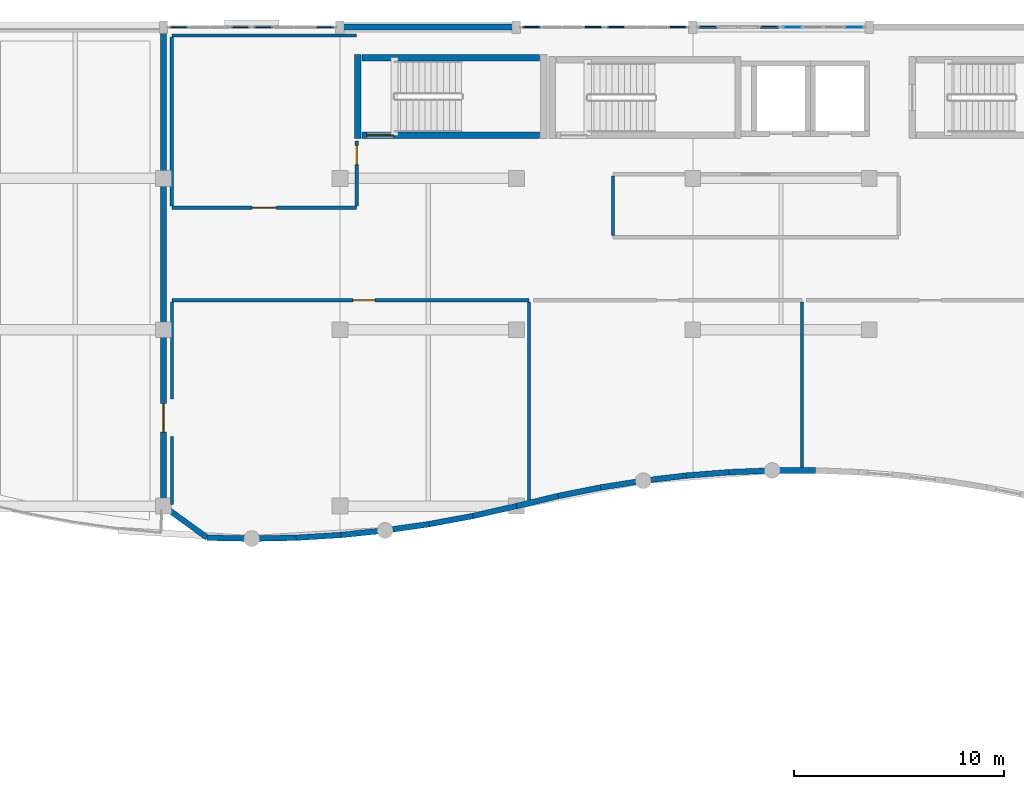
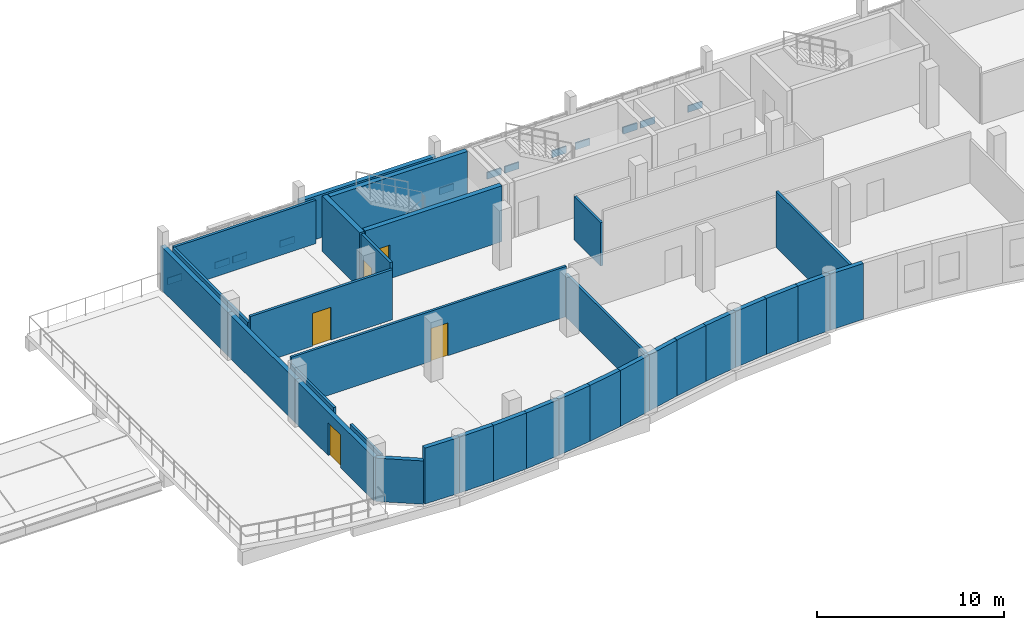
# One storey, part 172 of 188: 32 walls, 12 plates, 5 doors, 5 openings, 6 elements without a shape of their own.
"""IFC4 building model written with IfcOpenShell, lengths in metres."""

from ifc_helpers import new_model, si_unit, direction, frame, frame_2d, origin, origin_2d, place, context, subcontext, project, spatial, rectangle, extrude, material, layer, layer_set, type_object, element, fill, aggregate, save


model = new_model("IFC4")

# Units and contexts
model_context = context("Model", 3, precision=1e-05, world=origin(), true_north=direction((0.0, 1.0)))
body_context = subcontext(model_context, "Body", "Model", "MODEL_VIEW")
ifc_project = project(units=[si_unit("LENGTHUNIT", "METRE"), si_unit("AREAUNIT", "SQUARE_METRE"), si_unit("VOLUMEUNIT", "CUBIC_METRE"), si_unit("PLANEANGLEUNIT", "RADIAN"), si_unit("MASSUNIT", "GRAM", prefix="KILO")], contexts=[model_context])

# Site, building, storey
site_placement = place(None, origin())
site = spatial("IfcSite", under=ifc_project, at=site_placement, CompositionType="ELEMENT")
building_placement = place(site_placement, origin())
building = spatial("IfcBuilding", under=site, at=building_placement, Name="Kisaragi Civic Commons", CompositionType="ELEMENT")
storey_placement = place(building_placement, frame((0.0, 0.0, 9.60009765625)))
storey = spatial("IfcBuildingStorey", under=building, at=storey_placement, Name="L02", CompositionType="ELEMENT", Elevation=9.60009765625)

# Curtain wall, plates
ifc_material_1 = material(Name="Thermally broken anodized aluminium and low-E double glazing", Category="aluminium")
ifc_layer_1 = layer(ifc_material_1, 0.179931640625, Name="Thermally broken anodized aluminium and low-E double glazing", Category="aluminium")
ifc_layer_set_1 = layer_set([ifc_layer_1], Name="Thermally broken anodized aluminium and low-E double glazing")
curtain_wall_type = type_object("IfcCurtainWallType", Name="CW-01", PredefinedType="NOTDEFINED", material=ifc_layer_set_1)
curtain_wall_1_placement = place(storey_placement, origin())
curtain_wall_1 = element("IfcCurtainWall", 1, at=curtain_wall_1_placement, inside=storey, type_object=curtain_wall_type, Name="L02 curtain wall CW-01 CW-V4-L02-079", PredefinedType="NOTDEFINED")
ifc_layer_2 = layer(ifc_material_1, 0.055908203125, Name="Thermally broken anodized aluminium and low-E double glazing", Category="aluminium")
ifc_layer_set_2 = layer_set([ifc_layer_2], Name="Thermally broken anodized aluminium and low-E double glazing")
plate_type_1 = type_object("IfcPlateType", Name="CWP-06", PredefinedType="CURTAIN_PANEL", material=ifc_layer_set_2)
plate_1_placement = place(storey_placement, frame((81.124267578125, 118.800048828125, 0.139892578125), z_axis=(0.0, 0.0, 1.0), x_axis=(1.0, 0.0, 0.0)))
plate_1 = element("IfcPlate", 2, at=plate_1_placement, type_object=plate_type_1, Name="CW-01 panel 1.1", PredefinedType="CURTAIN_PANEL", context=body_context, shape_type="SweptSolid", body=[
    extrude(rectangle(XDim=0.888671875, YDim=0.055908203125, at=origin_2d()), origin(), (0.0, 0.0, 1.0), 0.43994140625),
])
plate_2_placement = place(storey_placement, frame((84.050537109375, 118.800048828125, 0.139892578125), z_axis=(0.0, 0.0, 1.0), x_axis=(1.0, 0.0, 0.0)))
plate_2 = element("IfcPlate", 3, at=plate_2_placement, type_object=plate_type_1, Name="CW-01 panel 4.1", PredefinedType="CURTAIN_PANEL", context=body_context, shape_type="SweptSolid", body=[
    extrude(rectangle(XDim=0.888671875, YDim=0.055908203125, at=origin_2d()), origin(), (0.0, 0.0, 1.0), 0.43994140625),
])
aggregate(curtain_wall_1, [plate_1, plate_2])

curtain_wall_2_placement = place(storey_placement, origin())
curtain_wall_2 = element("IfcCurtainWall", 4, at=curtain_wall_2_placement, inside=storey, type_object=curtain_wall_type, Name="L02 curtain wall CW-01 CW-V4-L02-080", PredefinedType="NOTDEFINED")
ifc_layer_3 = layer(ifc_material_1, 0.06005859375, Name="Thermally broken anodized aluminium and low-E double glazing", Category="aluminium")
ifc_layer_set_3 = layer_set([ifc_layer_3], Name="Thermally broken anodized aluminium and low-E double glazing")
plate_type_2 = type_object("IfcPlateType", Name="CWP-07", PredefinedType="CURTAIN_PANEL", material=ifc_layer_set_3)
plate_3_placement = place(storey_placement, frame((85.1494140625, 118.800048828125, 0.139892578125), z_axis=(0.0, 0.0, 1.0), x_axis=(1.0, 0.0, 0.0)))
plate_3 = element("IfcPlate", 5, at=plate_3_placement, type_object=plate_type_2, Name="CW-01 panel 1.1", PredefinedType="CURTAIN_PANEL", context=body_context, shape_type="SweptSolid", body=[
    extrude(rectangle(XDim=0.888671875, YDim=0.06005859375, at=origin_2d()), origin(), (0.0, 0.0, 1.0), 0.43994140625),
])
plate_4_placement = place(storey_placement, frame((88.07568359375, 118.800048828125, 0.139892578125), z_axis=(0.0, 0.0, 1.0), x_axis=(1.0, 0.0, 0.0)))
plate_4 = element("IfcPlate", 6, at=plate_4_placement, type_object=plate_type_2, Name="CW-01 panel 4.1", PredefinedType="CURTAIN_PANEL", context=body_context, shape_type="SweptSolid", body=[
    extrude(rectangle(XDim=0.888671875, YDim=0.06005859375, at=origin_2d()), origin(), (0.0, 0.0, 1.0), 0.43994140625),
])
aggregate(curtain_wall_2, [plate_3, plate_4])

curtain_wall_3_placement = place(storey_placement, origin())
curtain_wall_3 = element("IfcCurtainWall", 7, at=curtain_wall_3_placement, inside=storey, type_object=curtain_wall_type, Name="L02 curtain wall CW-01 CW-V4-L02-081", PredefinedType="NOTDEFINED")
ifc_layer_4 = layer(ifc_material_1, 0.073974609375, Name="Thermally broken anodized aluminium and low-E double glazing", Category="aluminium")
ifc_layer_set_4 = layer_set([ifc_layer_4], Name="Thermally broken anodized aluminium and low-E double glazing")
plate_type_3 = type_object("IfcPlateType", Name="CWP-09", PredefinedType="CURTAIN_PANEL", material=ifc_layer_set_4)
plate_5_placement = place(storey_placement, frame((97.92431640625, 118.800048828125, 0.139892578125), z_axis=(0.0, 0.0, 1.0), x_axis=(1.0, 0.0, 0.0)))
plate_5 = element("IfcPlate", 8, at=plate_5_placement, type_object=plate_type_3, Name="CW-01 panel 1.1", PredefinedType="CURTAIN_PANEL", context=body_context, shape_type="SweptSolid", body=[
    extrude(rectangle(XDim=0.888671875, YDim=0.073974609375, at=origin_2d()), origin(), (0.0, 0.0, 1.0), 0.43994140625),
])
plate_6_placement = place(storey_placement, frame((100.8505859375, 118.800048828125, 0.139892578125), z_axis=(0.0, 0.0, 1.0), x_axis=(1.0, 0.0, 0.0)))
plate_6 = element("IfcPlate", 9, at=plate_6_placement, type_object=plate_type_3, Name="CW-01 panel 4.1", PredefinedType="CURTAIN_PANEL", context=body_context, shape_type="SweptSolid", body=[
    extrude(rectangle(XDim=0.888671875, YDim=0.073974609375, at=origin_2d()), origin(), (0.0, 0.0, 1.0), 0.43994140625),
])
aggregate(curtain_wall_3, [plate_5, plate_6])

curtain_wall_4_placement = place(storey_placement, origin())
curtain_wall_4 = element("IfcCurtainWall", 10, at=curtain_wall_4_placement, inside=storey, type_object=curtain_wall_type, Name="L02 curtain wall CW-01 CW-V4-L02-082", PredefinedType="NOTDEFINED")
ifc_layer_5 = layer(ifc_material_1, 0.080078125, Name="Thermally broken anodized aluminium and low-E double glazing", Category="aluminium")
ifc_layer_set_5 = layer_set([ifc_layer_5], Name="Thermally broken anodized aluminium and low-E double glazing")
plate_type_4 = type_object("IfcPlateType", Name="CWP-10", PredefinedType="CURTAIN_PANEL", material=ifc_layer_set_5)
plate_7_placement = place(storey_placement, frame((101.949462890625, 118.800048828125, 0.139892578125), z_axis=(0.0, 0.0, 1.0), x_axis=(1.0, 0.0, 0.0)))
plate_7 = element("IfcPlate", 11, at=plate_7_placement, type_object=plate_type_4, Name="CW-01 panel 1.1", PredefinedType="CURTAIN_PANEL", context=body_context, shape_type="SweptSolid", body=[
    extrude(rectangle(XDim=0.888671875, YDim=0.080078125, at=origin_2d()), origin(), (0.0, 0.0, 1.0), 0.43994140625),
])
plate_8_placement = place(storey_placement, frame((104.875732421875, 118.800048828125, 0.139892578125), z_axis=(0.0, 0.0, 1.0), x_axis=(1.0, 0.0, 0.0)))
plate_8 = element("IfcPlate", 12, at=plate_8_placement, type_object=plate_type_4, Name="CW-01 panel 4.1", PredefinedType="CURTAIN_PANEL", context=body_context, shape_type="SweptSolid", body=[
    extrude(rectangle(XDim=0.888671875, YDim=0.080078125, at=origin_2d()), origin(), (0.0, 0.0, 1.0), 0.43994140625),
])
aggregate(curtain_wall_4, [plate_7, plate_8])

curtain_wall_5_placement = place(storey_placement, origin())
curtain_wall_5 = element("IfcCurtainWall", 13, at=curtain_wall_5_placement, inside=storey, type_object=curtain_wall_type, Name="L02 curtain wall CW-01 CW-V4-L02-083", PredefinedType="NOTDEFINED")
ifc_layer_6 = layer(ifc_material_1, 0.0859375, Name="Thermally broken anodized aluminium and low-E double glazing", Category="aluminium")
ifc_layer_set_6 = layer_set([ifc_layer_6], Name="Thermally broken anodized aluminium and low-E double glazing")
plate_type_5 = type_object("IfcPlateType", Name="CWP-12", PredefinedType="CURTAIN_PANEL", material=ifc_layer_set_6)
plate_9_placement = place(storey_placement, frame((106.324462890625, 118.800048828125, 0.139892578125), z_axis=(0.0, 0.0, 1.0), x_axis=(1.0, 0.0, 0.0)))
plate_9 = element("IfcPlate", 14, at=plate_9_placement, type_object=plate_type_5, Name="CW-01 panel 1.1", PredefinedType="CURTAIN_PANEL", context=body_context, shape_type="SweptSolid", body=[
    extrude(rectangle(XDim=0.888671875, YDim=0.0859375, at=origin_2d()), origin(), (0.0, 0.0, 1.0), 0.43994140625),
])
plate_10_placement = place(storey_placement, frame((109.250732421875, 118.800048828125, 0.139892578125), z_axis=(0.0, 0.0, 1.0), x_axis=(1.0, 0.0, 0.0)))
plate_10 = element("IfcPlate", 15, at=plate_10_placement, type_object=plate_type_5, Name="CW-01 panel 4.1", PredefinedType="CURTAIN_PANEL", context=body_context, shape_type="SweptSolid", body=[
    extrude(rectangle(XDim=0.888671875, YDim=0.0859375, at=origin_2d()), origin(), (0.0, 0.0, 1.0), 0.43994140625),
])
aggregate(curtain_wall_5, [plate_9, plate_10])

curtain_wall_6_placement = place(storey_placement, origin())
curtain_wall_6 = element("IfcCurtainWall", 16, at=curtain_wall_6_placement, inside=storey, type_object=curtain_wall_type, Name="L02 curtain wall CW-01 CW-V4-L02-084", PredefinedType="NOTDEFINED")
ifc_layer_7 = layer(ifc_material_1, 0.0458984375, Name="Thermally broken anodized aluminium and low-E double glazing", Category="aluminium")
ifc_layer_set_7 = layer_set([ifc_layer_7], Name="Thermally broken anodized aluminium and low-E double glazing")
plate_type_6 = type_object("IfcPlateType", Name="CWP-13", PredefinedType="CURTAIN_PANEL", material=ifc_layer_set_7)
plate_11_placement = place(storey_placement, frame((110.349365234375, 118.800048828125, 0.139892578125), z_axis=(0.0, 0.0, 1.0), x_axis=(1.0, 0.0, 0.0)))
plate_11 = element("IfcPlate", 17, at=plate_11_placement, type_object=plate_type_6, Name="CW-01 panel 1.1", PredefinedType="CURTAIN_PANEL", context=body_context, shape_type="SweptSolid", body=[
    extrude(rectangle(XDim=0.888671875, YDim=0.0458984375, at=origin_2d()), origin(), (0.0, 0.0, 1.0), 0.43994140625),
])
plate_12_placement = place(storey_placement, frame((113.275634765625, 118.800048828125, 0.139892578125), z_axis=(0.0, 0.0, 1.0), x_axis=(1.0, 0.0, 0.0)))
plate_12 = element("IfcPlate", 18, at=plate_12_placement, type_object=plate_type_6, Name="CW-01 panel 4.1", PredefinedType="CURTAIN_PANEL", context=body_context, shape_type="SweptSolid", body=[
    extrude(rectangle(XDim=0.888671875, YDim=0.0458984375, at=origin_2d()), origin(), (0.0, 0.0, 1.0), 0.43994140625),
])
aggregate(curtain_wall_6, [plate_11, plate_12])

# Walls
ifc_material_2 = material(Name="Insulated Tokoname terracotta cavity wall", Category="masonry")
ifc_layer_8 = layer(ifc_material_2, 0.26806640625, Name="Insulated Tokoname terracotta cavity wall", Category="masonry")
ifc_layer_set_8 = layer_set([ifc_layer_8], Name="Insulated Tokoname terracotta cavity wall")
wall_type_1 = type_object("IfcWallType", Name="EW-04", PredefinedType="STANDARD", material=ifc_layer_set_8)
wall_1_placement = place(storey_placement, frame((111.426513671875, 97.693115234375, 0.0), z_axis=(0.0, 0.0, 1.0), x_axis=(-1.0, 0.0, 0.0)))
element("IfcWall", 19, at=wall_1_placement, inside=storey, type_object=wall_type_1, Name="V4 L02 exterior terracotta wall EW-04 356", PredefinedType="STANDARD", context=body_context, shape_type="SweptSolid", body=[
    extrude(rectangle(XDim=2.05322265625, YDim=0.26806640625, at=frame_2d((1.026611328125, 0.0))), origin(), (0.0, 0.0, 1.0), 3.64990234375),
])
wall_2_placement = place(storey_placement, frame((109.373291015625, 97.693115234375, 0.0), z_axis=(0.0, 0.0, 1.0), x_axis=(-0.99922021908, -0.039483588757, 0.0)))
element("IfcWall", 20, at=wall_2_placement, inside=storey, type_object=wall_type_1, Name="V4 L02 exterior terracotta wall EW-04 357", PredefinedType="STANDARD", context=body_context, shape_type="SweptSolid", body=[
    extrude(rectangle(XDim=2.052978515625, YDim=0.26806640625, at=frame_2d((1.0263671875, 0.0))), origin(), (0.0, 0.0, 1.0), 3.64990234375),
])
wall_3_placement = place(storey_placement, frame((107.322021484375, 97.612060546875, 0.0), z_axis=(0.0, 0.0, 1.0), x_axis=(-0.996887829118, -0.078833090494, 0.0)))
element("IfcWall", 21, at=wall_3_placement, inside=storey, type_object=wall_type_1, Name="V4 L02 exterior terracotta wall EW-04 358", PredefinedType="STANDARD", context=body_context, shape_type="SweptSolid", body=[
    extrude(rectangle(XDim=2.05322265625, YDim=0.26806640625, at=frame_2d((1.026611328125, 0.0))), origin(), (0.0, 0.0, 1.0), 3.64990234375),
])
wall_4_placement = place(storey_placement, frame((105.275146484375, 97.4501953125, 0.0), z_axis=(0.0, 0.0, 1.0), x_axis=(-0.992988938913, -0.118207306021, 0.0)))
element("IfcWall", 22, at=wall_4_placement, inside=storey, type_object=wall_type_1, Name="V4 L02 exterior terracotta wall EW-04 359", PredefinedType="STANDARD", context=body_context, shape_type="SweptSolid", body=[
    extrude(rectangle(XDim=2.052978515625, YDim=0.26806640625, at=frame_2d((1.0263671875, 0.0))), origin(), (0.0, 0.0, 1.0), 3.64990234375),
])
wall_5_placement = place(storey_placement, frame((103.236572265625, 97.20751953125, 0.0), z_axis=(0.0, 0.0, 1.0), x_axis=(-0.987547997058, -0.157318001217, 0.0)))
element("IfcWall", 23, at=wall_5_placement, inside=storey, type_object=wall_type_1, Name="V4 L02 exterior terracotta wall EW-04 360", PredefinedType="STANDARD", context=body_context, shape_type="SweptSolid", body=[
    extrude(rectangle(XDim=2.05322265625, YDim=0.26806640625, at=frame_2d((1.026611328125, 0.0))), origin(), (0.0, 0.0, 1.0), 3.64990234375),
])
wall_6_placement = place(storey_placement, frame((101.208984375, 96.884521484375, 0.0), z_axis=(0.0, 0.0, 1.0), x_axis=(-0.980585249135, -0.196093266532, 0.0)))
element("IfcWall", 24, at=wall_6_placement, inside=storey, type_object=wall_type_1, Name="V4 L02 exterior terracotta wall EW-04 361", PredefinedType="STANDARD", context=body_context, shape_type="SweptSolid", body=[
    extrude(rectangle(XDim=2.052978515625, YDim=0.26806640625, at=frame_2d((1.0263671875, 0.0))), origin(), (0.0, 0.0, 1.0), 3.64990234375),
])
wall_7_placement = place(storey_placement, frame((99.19580078125, 96.48193359375, 0.0), z_axis=(0.0, 0.0, 1.0), x_axis=(-0.972062565516, -0.234721896554, 0.0)))
element("IfcWall", 25, at=wall_7_placement, inside=storey, type_object=wall_type_1, Name="V4 L02 exterior terracotta wall EW-04 362", PredefinedType="STANDARD", context=body_context, shape_type="SweptSolid", body=[
    extrude(rectangle(XDim=2.05322265625, YDim=0.26806640625, at=frame_2d((1.026611328125, 0.0))), origin(), (0.0, 0.0, 1.0), 3.64990234375),
])
wall_8_placement = place(storey_placement, frame((97.199951171875, 96.0, 0.0), z_axis=(0.0, 0.0, 1.0), x_axis=(-0.974933461124, -0.222496621057, 0.0)))
element("IfcWall", 26, at=wall_8_placement, inside=storey, type_object=wall_type_1, Name="V4 L02 exterior terracotta wall EW-04 363", PredefinedType="STANDARD", context=body_context, shape_type="SweptSolid", body=[
    extrude(rectangle(XDim=2.12109375, YDim=0.26806640625, at=frame_2d((1.060546875, 0.0))), origin(), (0.0, 0.0, 1.0), 3.64990234375),
])
wall_9_placement = place(storey_placement, frame((95.132080078125, 95.528076171875, 0.0), z_axis=(0.0, 0.0, 1.0), x_axis=(-0.983213231288, -0.18246024723, 0.0)))
element("IfcWall", 27, at=wall_9_placement, inside=storey, type_object=wall_type_1, Name="V4 L02 exterior terracotta wall EW-04 364", PredefinedType="STANDARD", context=body_context, shape_type="SweptSolid", body=[
    extrude(rectangle(XDim=2.120849609375, YDim=0.26806640625, at=frame_2d((1.060546875, 0.0))), origin(), (0.0, 0.0, 1.0), 3.64990234375),
])
for number, where, z_axis, x_axis, name in (
    (28, (93.046875, 95.14111328125, 0.0), (0.0, 0.0, 1.0), (-0.989810892254, -0.142388193245, 0.0), "V4 L02 exterior terracotta wall EW-04 365"),
    (29, (90.947509765625, 94.839111328125, 0.0), (0.0, 0.0, 1.0), (-0.994810155403, -0.10174848749, 0.0), "V4 L02 exterior terracotta wall EW-04 366"),
):
    element("IfcWall", number, at=place(storey_placement, frame(where, z_axis=z_axis, x_axis=x_axis)), inside=storey, type_object=wall_type_1, Name=name, PredefinedType="STANDARD", context=body_context, shape_type="SweptSolid", body=[
        extrude(rectangle(XDim=2.12109375, YDim=0.26806640625, at=frame_2d((1.060546875, 0.0))), origin(), (0.0, 0.0, 1.0), 3.64990234375),
    ])
for number, where, z_axis, x_axis, name in (
    (30, (88.83740234375, 94.623291015625, 0.0), (0.0, 0.0, 1.0), (-0.998130173714, -0.061124105898, 0.0), "V4 L02 exterior terracotta wall EW-04 367"),
    (31, (86.720458984375, 94.49365234375, 0.0), (0.0, 0.0, 1.0), (-0.999792393173, -0.020375734438, 0.0), "V4 L02 exterior terracotta wall EW-04 368"),
):
    element("IfcWall", number, at=place(storey_placement, frame(where, z_axis=z_axis, x_axis=x_axis)), inside=storey, type_object=wall_type_1, Name=name, PredefinedType="STANDARD", context=body_context, shape_type="SweptSolid", body=[
        extrude(rectangle(XDim=2.120849609375, YDim=0.26806640625, at=frame_2d((1.060546875, 0.0))), origin(), (0.0, 0.0, 1.0), 3.64990234375),
    ])
wall_10_placement = place(storey_placement, frame((84.60009765625, 94.450439453125, 0.0), z_axis=(0.0, 0.0, 1.0), x_axis=(-0.999792440958, 0.020373389598, 0.0)))
element("IfcWall", 32, at=wall_10_placement, inside=storey, type_object=wall_type_1, Name="V4 L02 exterior terracotta wall EW-04 369", PredefinedType="STANDARD", context=body_context, shape_type="SweptSolid", body=[
    extrude(rectangle(XDim=2.12109375, YDim=0.26806640625, at=frame_2d((1.060546875, 0.0))), origin(), (0.0, 0.0, 1.0), 3.64990234375),
])
wall_11_placement = place(storey_placement, frame((82.4794921875, 94.49365234375, 0.0), z_axis=(0.0, 0.0, 1.0), x_axis=(-0.809861128273, 0.586621643748, 0.0)))
element("IfcWall", 33, at=wall_11_placement, inside=storey, type_object=wall_type_1, Name="V4 L02 exterior terracotta wall EW-04 370", PredefinedType="STANDARD", context=body_context, shape_type="SweptSolid", body=[
    extrude(rectangle(XDim=2.56787109375, YDim=0.26806640625, at=frame_2d((1.283935546875, 0.0))), origin(), (0.0, 0.0, 1.0), 2.829833984375),
])
ifc_layer_9 = layer(ifc_material_2, 0.278076171875, Name="Insulated Tokoname terracotta cavity wall", Category="masonry")
ifc_layer_set_9 = layer_set([ifc_layer_9], Name="Insulated Tokoname terracotta cavity wall")
wall_type_2 = type_object("IfcWallType", Name="EW-07", PredefinedType="STANDARD", material=ifc_layer_set_9)
wall_12_placement = place(storey_placement, frame((88.800048828125, 118.800048828125, 0.0), z_axis=(0.0, 0.0, 1.0), x_axis=(1.0, 0.0, 0.0)))
element("IfcWall", 34, at=wall_12_placement, inside=storey, type_object=wall_type_2, Name="V4 L02 exterior terracotta wall EW-07 346", PredefinedType="STANDARD", context=body_context, shape_type="SweptSolid", body=[
    extrude(rectangle(XDim=8.39990234375, YDim=0.278076171875, at=frame_2d((4.199951171875, 0.0))), origin(), (0.0, 0.0, 1.0), 2.829833984375),
])

# Wall, opening, door
wall_13_placement = place(storey_placement, frame((80.39990234375, 96.0, 0.0), z_axis=(0.0, 0.0, 1.0), x_axis=(0.0, 1.0, 0.0)))
wall_13 = element("IfcWall", 35, at=wall_13_placement, inside=storey, type_object=wall_type_2, Name="V4 L02 exterior terracotta wall EW-07 371", PredefinedType="STANDARD", context=body_context, shape_type="SweptSolid", body=[
    extrude(rectangle(XDim=8.39990234375, YDim=0.278076171875, at=frame_2d((4.199951171875, 0.0))), origin(), (0.0, 0.0, 1.0), 2.829833984375),
])
opening_1_placement = place(wall_13_placement, frame((3.52490234375, 0.0, 0.0)))
opening_1 = element("IfcOpeningElement", 36, at=opening_1_placement, cuts=wall_13, Name="Opening TD-03", PredefinedType="OPENING", context=body_context, shape_type="SweptSolid", body=[
    extrude(rectangle(XDim=1.35009765625, YDim=2.14990234375, at=frame_2d((0.675048828125, 1.074951171875))), frame((0.0, 0.14892578125, 0.0), z_axis=(0.0, -1.0, 0.0), x_axis=(1.0, 0.0, 0.0)), (0.0, 0.0, 1.0), 0.298095703125),
])
ifc_material_3 = material(Name="Thermally broken anodized aluminium glazed exit door", Category="aluminium")
door_type_1 = type_object("IfcDoorType", Name="TD-03", OperationType="NOTDEFINED", PredefinedType="DOOR", material=ifc_material_3)
door_1_placement = place(opening_1_placement, origin())
door_1 = element("IfcDoor", 37, at=door_1_placement, inside=storey, type_object=door_type_1, Name="V4 L02 terrace access door 06", OperationType="SINGLE_SWING_RIGHT", OverallHeight=2.14990234375, OverallWidth=1.35009765625, PredefinedType="DOOR", context=body_context, shape_type="SweptSolid", body=[
    extrude(rectangle(XDim=1.35009765625, YDim=2.14990234375, at=frame_2d((0.675048828125, 1.074951171875))), frame((0.0, 0.02490234375, 0.0), z_axis=(0.0, -1.0, 0.0), x_axis=(1.0, 0.0, 0.0)), (0.0, 0.0, 1.0), 0.050048828125),
])
fill(opening_1, door_1)

# Walls
wall_14_placement = place(storey_placement, frame((80.39990234375, 104.39990234375, 0.0), z_axis=(0.0, 0.0, 1.0), x_axis=(0.0, 1.0, 0.0)))
element("IfcWall", 38, at=wall_14_placement, inside=storey, type_object=wall_type_2, Name="V4 L02 exterior terracotta wall EW-07 372", PredefinedType="STANDARD", context=body_context, shape_type="SweptSolid", body=[
    extrude(rectangle(XDim=7.2001953125, YDim=0.278076171875, at=frame_2d((3.60009765625, 0.0))), origin(), (0.0, 0.0, 1.0), 2.829833984375),
])
wall_15_placement = place(storey_placement, frame((80.39990234375, 111.60009765625, 0.0), z_axis=(0.0, 0.0, 1.0), x_axis=(0.0, 1.0, 0.0)))
element("IfcWall", 39, at=wall_15_placement, inside=storey, type_object=wall_type_2, Name="V4 L02 exterior terracotta wall EW-07 373", PredefinedType="STANDARD", context=body_context, shape_type="SweptSolid", body=[
    extrude(rectangle(XDim=7.199951171875, YDim=0.278076171875, at=frame_2d((3.60009765625, 0.0))), origin(), (0.0, 0.0, 1.0), 2.829833984375),
])
ifc_material_4 = material(Name="Acoustic gypsum board on light-gauge steel studs", Category="steel")
ifc_layer_10 = layer(ifc_material_4, 0.14990234375, Name="Acoustic gypsum board on light-gauge steel studs", Category="steel")
ifc_layer_set_10 = layer_set([ifc_layer_10], Name="Acoustic gypsum board on light-gauge steel studs")
wall_type_3 = type_object("IfcWallType", Name="IW-01", PredefinedType="STANDARD", material=ifc_layer_set_10)
wall_16_placement = place(storey_placement, frame((101.800048828125, 108.875, 0.0), z_axis=(0.0, 0.0, 1.0), x_axis=(0.0, 1.0, 0.0)))
element("IfcWall", 40, at=wall_16_placement, inside=storey, type_object=wall_type_3, Name="L02 W2-11 partition IW-01 295", PredefinedType="STANDARD", context=body_context, shape_type="SweptSolid", body=[
    extrude(rectangle(XDim=2.85009765625, YDim=0.14990234375, at=frame_2d((1.425048828125, 0.0))), origin(), (0.0, 0.0, 1.0), 2.829833984375),
])
wall_17_placement = place(storey_placement, frame((80.800048828125, 96.08154296875, 0.0), z_axis=(0.0, 0.0, 1.0), x_axis=(0.0, 1.0, 0.0)))
element("IfcWall", 41, at=wall_17_placement, inside=storey, type_object=wall_type_3, Name="L02 W2-03 partition IW-01 305", PredefinedType="STANDARD", context=body_context, shape_type="SweptSolid", body=[
    extrude(rectangle(XDim=3.228515625, YDim=0.14990234375, at=frame_2d((1.6142578125, 0.0))), origin(), (0.0, 0.0, 1.0), 2.829833984375),
])
wall_18_placement = place(storey_placement, frame((80.800048828125, 101.090087890625, 0.0), z_axis=(0.0, 0.0, 1.0), x_axis=(0.0, 1.0, 0.0)))
element("IfcWall", 42, at=wall_18_placement, inside=storey, type_object=wall_type_3, Name="L02 W2-03 partition IW-01 306", PredefinedType="STANDARD", context=body_context, shape_type="SweptSolid", body=[
    extrude(rectangle(XDim=4.635009765625, YDim=0.14990234375, at=frame_2d((2.3173828125, 0.0))), origin(), (0.0, 0.0, 1.0), 2.829833984375),
])

# Wall, opening, door
wall_19_placement = place(storey_placement, frame((80.804931640625, 105.800048828125, 0.0), z_axis=(0.0, 0.0, 1.0), x_axis=(1.0, 0.0, 0.0)))
wall_19 = element("IfcWall", 43, at=wall_19_placement, inside=storey, type_object=wall_type_3, Name="L02 W2-03 partition IW-01 307", PredefinedType="STANDARD", context=body_context, shape_type="SweptSolid", body=[
    extrude(rectangle(XDim=16.989990234375, YDim=0.14990234375, at=frame_2d((8.4951171875, 0.0))), origin(), (0.0, 0.0, 1.0), 3.27978515625),
])
opening_2_placement = place(wall_19_placement, frame((8.607666015625, 0.0, 0.0)))
opening_2 = element("IfcOpeningElement", 44, at=opening_2_placement, cuts=wall_19, Name="Opening ID-03", PredefinedType="OPENING", context=body_context, shape_type="SweptSolid", body=[
    extrude(rectangle(XDim=1.050048828125, YDim=2.14990234375, at=frame_2d((0.52490234375, 1.074951171875))), frame((0.0, 0.0849609375, 0.0), z_axis=(0.0, -1.0, 0.0), x_axis=(1.0, 0.0, 0.0)), (0.0, 0.0, 1.0), 0.169921875),
])
ifc_material_5 = material(Name="Solid-core Japanese ash acoustic flush timber leaf in steel frame", Category="steel")
door_type_2 = type_object("IfcDoorType", Name="ID-03", OperationType="NOTDEFINED", PredefinedType="DOOR", material=ifc_material_5)
door_2_placement = place(opening_2_placement, origin())
door_2 = element("IfcDoor", 45, at=door_2_placement, inside=storey, type_object=door_type_2, Name="Local History Archive Study Room door ID-03", OperationType="SINGLE_SWING_LEFT", OverallHeight=2.14990234375, OverallWidth=1.050048828125, PredefinedType="DOOR", context=body_context, shape_type="SweptSolid", body=[
    extrude(rectangle(XDim=1.050048828125, YDim=2.14990234375, at=frame_2d((0.52490234375, 1.074951171875))), frame((0.0, 0.02490234375, 0.0), z_axis=(0.0, -1.0, 0.0), x_axis=(1.0, 0.0, 0.0)), (0.0, 0.0, 1.0), 0.050048828125),
])
fill(opening_2, door_2)

# Walls
wall_20_placement = place(storey_placement, frame((97.800048828125, 105.72509765625, 0.0), z_axis=(0.0, 0.0, 1.0), x_axis=(0.0, -1.0, 0.0)))
element("IfcWall", 46, at=wall_20_placement, inside=storey, type_object=wall_type_3, Name="L02 W2-03 partition IW-01 308", PredefinedType="STANDARD", context=body_context, shape_type="SweptSolid", body=[
    extrude(rectangle(XDim=9.438232421875, YDim=0.14990234375, at=frame_2d((4.71923828125, 0.0))), origin(), (0.0, 0.0, 1.0), 2.829833984375),
])
wall_21_placement = place(storey_placement, frame((110.800048828125, 105.72509765625, 0.0), z_axis=(0.0, 0.0, 1.0), x_axis=(0.0, -1.0, 0.0)))
element("IfcWall", 47, at=wall_21_placement, inside=storey, type_object=wall_type_3, Name="L02 W2-04 partition IW-01 310", PredefinedType="STANDARD", context=body_context, shape_type="SweptSolid", body=[
    extrude(rectangle(XDim=7.889892578125, YDim=0.14990234375, at=frame_2d((3.94482421875, 0.0))), origin(), (0.0, 0.0, 1.0), 3.64990234375),
])

# Wall, opening, door
ifc_material_6 = material(Name="Slatted Mikawa hinoki acoustic timber partition", Category="wood")
ifc_layer_11 = layer(ifc_material_6, 0.159912109375, Name="Slatted Mikawa hinoki acoustic timber partition", Category="wood")
ifc_layer_set_11 = layer_set([ifc_layer_11], Name="Slatted Mikawa hinoki acoustic timber partition")
wall_type_4 = type_object("IfcWallType", Name="IW-06", PredefinedType="STANDARD", material=ifc_layer_set_11)
wall_22_placement = place(storey_placement, frame((89.60009765625, 113.375, 0.0), z_axis=(0.0, 0.0, 1.0), x_axis=(0.0, -1.0, 0.0)))
wall_22 = element("IfcWall", 48, at=wall_22_placement, inside=storey, type_object=wall_type_4, Name="L02 W2-02 partition IW-06 301", PredefinedType="STANDARD", context=body_context, shape_type="SweptSolid", body=[
    extrude(rectangle(XDim=3.10009765625, YDim=0.159912109375, at=frame_2d((1.550048828125, 0.0))), origin(), (0.0, 0.0, 1.0), 3.64990234375),
])
opening_3_placement = place(wall_22_placement, frame((0.219970703125, 0.0, 0.0)))
opening_3 = element("IfcOpeningElement", 49, at=opening_3_placement, cuts=wall_22, Name="Opening ID-02", PredefinedType="OPENING", context=body_context, shape_type="SweptSolid", body=[
    extrude(rectangle(XDim=0.89990234375, YDim=2.10009765625, at=frame_2d((0.449951171875, 1.050048828125))), frame((0.0, 0.08984375, 0.0), z_axis=(0.0, -1.0, 0.0), x_axis=(1.0, 0.0, 0.0)), (0.0, 0.0, 1.0), 0.179931640625),
])
door_type_3 = type_object("IfcDoorType", Name="ID-02", OperationType="NOTDEFINED", PredefinedType="DOOR", material=ifc_material_5)
door_3_placement = place(opening_3_placement, origin())
door_3 = element("IfcDoor", 50, at=door_3_placement, inside=storey, type_object=door_type_3, Name="Closed Book Stack door ID-02", OperationType="SINGLE_SWING_RIGHT", OverallHeight=2.10009765625, OverallWidth=0.89990234375, PredefinedType="DOOR", context=body_context, shape_type="SweptSolid", body=[
    extrude(rectangle(XDim=0.89990234375, YDim=2.10009765625, at=frame_2d((0.449951171875, 1.050048828125))), frame((0.0, 0.02490234375, 0.0), z_axis=(0.0, -1.0, 0.0), x_axis=(1.0, 0.0, 0.0)), (0.0, 0.0, 1.0), 0.050048828125),
])
fill(opening_3, door_3)

wall_23_placement = place(storey_placement, frame((89.594970703125, 110.199951171875, 0.0), z_axis=(0.0, 0.0, 1.0), x_axis=(-1.0, 0.0, 0.0)))
wall_23 = element("IfcWall", 51, at=wall_23_placement, inside=storey, type_object=wall_type_4, Name="L02 W2-02 partition IW-06 302", PredefinedType="STANDARD", context=body_context, shape_type="SweptSolid", body=[
    extrude(rectangle(XDim=8.7900390625, YDim=0.159912109375, at=frame_2d((4.39501953125, 0.0))), origin(), (0.0, 0.0, 1.0), 3.27978515625),
])
opening_4_placement = place(wall_23_placement, frame((3.820068359375, 0.0, 0.0)))
opening_4 = element("IfcOpeningElement", 52, at=opening_4_placement, cuts=wall_23, Name="Opening ID-04", PredefinedType="OPENING", context=body_context, shape_type="SweptSolid", body=[
    extrude(rectangle(XDim=1.14990234375, YDim=2.14990234375, at=frame_2d((0.574951171875, 1.074951171875))), frame((0.0, 0.08984375, 0.0), z_axis=(0.0, -1.0, 0.0), x_axis=(1.0, 0.0, 0.0)), (0.0, 0.0, 1.0), 0.179931640625),
])
door_type_4 = type_object("IfcDoorType", Name="ID-04", OperationType="NOTDEFINED", PredefinedType="DOOR", material=ifc_material_5)
door_4_placement = place(opening_4_placement, origin())
door_4 = element("IfcDoor", 53, at=door_4_placement, inside=storey, type_object=door_type_4, Name="Closed Book Stack door ID-04", OperationType="SINGLE_SWING_LEFT", OverallHeight=2.14990234375, OverallWidth=1.14990234375, PredefinedType="DOOR", context=body_context, shape_type="SweptSolid", body=[
    extrude(rectangle(XDim=1.14990234375, YDim=2.14990234375, at=frame_2d((0.574951171875, 1.074951171875))), frame((0.0, 0.02490234375, 0.0), z_axis=(0.0, -1.0, 0.0), x_axis=(1.0, 0.0, 0.0)), (0.0, 0.0, 1.0), 0.050048828125),
])
fill(opening_4, door_4)

# Walls
wall_24_placement = place(storey_placement, frame((80.800048828125, 110.27490234375, 0.0), z_axis=(0.0, 0.0, 1.0), x_axis=(0.0, 1.0, 0.0)))
element("IfcWall", 54, at=wall_24_placement, inside=storey, type_object=wall_type_4, Name="L02 W2-02 partition IW-06 303", PredefinedType="STANDARD", context=body_context, shape_type="SweptSolid", body=[
    extrude(rectangle(XDim=8.050048828125, YDim=0.159912109375, at=frame_2d((4.02490234375, 0.0))), origin(), (0.0, 0.0, 1.0), 2.829833984375),
])
wall_25_placement = place(storey_placement, frame((80.804931640625, 118.39990234375, 0.0), z_axis=(0.0, 0.0, 1.0), x_axis=(1.0, 0.0, 0.0)))
element("IfcWall", 55, at=wall_25_placement, inside=storey, type_object=wall_type_4, Name="L02 W2-02 partition IW-06 304", PredefinedType="STANDARD", context=body_context, shape_type="SweptSolid", body=[
    extrude(rectangle(XDim=8.7900390625, YDim=0.159912109375, at=frame_2d((4.39501953125, 0.0))), origin(), (0.0, 0.0, 1.0), 2.829833984375),
])
ifc_material_7 = material(Name="Concrete Fc36", Category="concrete")
ifc_layer_12 = layer(ifc_material_7, 0.300048828125, Name="Concrete Fc36", Category="concrete")
ifc_layer_set_12 = layer_set([ifc_layer_12], Name="Concrete Fc36")
wall_type_5 = type_object("IfcWallType", Name="SW-01", PredefinedType="SHEAR", material=ifc_layer_set_12)
wall_26_placement = place(storey_placement, frame((89.64990234375, 117.5, 0.0), z_axis=(0.0, 0.0, 1.0), x_axis=(0.0, -1.0, 0.0)))
element("IfcWall", 56, at=wall_26_placement, inside=storey, type_object=wall_type_5, Name="ST-L4 L02 entry RC shear wall", PredefinedType="SHEAR", context=body_context, shape_type="SweptSolid", body=[
    extrude(rectangle(XDim=4.0, YDim=0.300048828125, at=frame_2d((2.0, 0.0))), origin(), (0.0, 0.0, 1.0), 3.64990234375),
])

# Wall, opening, door
wall_27_placement = place(storey_placement, frame((89.85009765625, 113.64990234375, 0.0), z_axis=(0.0, 0.0, 1.0), x_axis=(1.0, 0.0, 0.0)))
wall_27 = element("IfcWall", 57, at=wall_27_placement, inside=storey, type_object=wall_type_5, Name="ST-L4 L02 right RC shear wall", PredefinedType="SHEAR", context=body_context, shape_type="SweptSolid", body=[
    extrude(rectangle(XDim=8.449951171875, YDim=0.300048828125, at=frame_2d((4.22509765625, 0.0))), origin(), (0.0, 0.0, 1.0), 3.64990234375),
])
opening_5_placement = place(wall_27_placement, frame((0.219970703125, 0.0, 0.0)))
opening_5 = element("IfcOpeningElement", 58, at=opening_5_placement, cuts=wall_27, Name="Opening SD-02", PredefinedType="OPENING", context=body_context, shape_type="SweptSolid", body=[
    extrude(rectangle(XDim=1.300048828125, YDim=2.199951171875, at=frame_2d((0.64990234375, 1.10009765625))), frame((0.0, 0.159912109375, 0.0), z_axis=(0.0, -1.0, 0.0), x_axis=(1.0, 0.0, 0.0)), (0.0, 0.0, 1.0), 0.320068359375),
])
ifc_material_8 = material(Name="Insulated fire-rated pressed steel door assembly", Category="steel")
door_type_5 = type_object("IfcDoorType", Name="SD-02", OperationType="NOTDEFINED", PredefinedType="DOOR", material=ifc_material_8)
door_5_placement = place(opening_5_placement, origin())
door_5 = element("IfcDoor", 59, at=door_5_placement, inside=storey, type_object=door_type_5, Name="ST-L4 L02 stair fire door 21", OperationType="SINGLE_SWING_LEFT", OverallHeight=2.199951171875, OverallWidth=1.300048828125, PredefinedType="DOOR", context=body_context, shape_type="SweptSolid", body=[
    extrude(rectangle(XDim=1.300048828125, YDim=2.199951171875, at=frame_2d((0.64990234375, 1.10009765625))), frame((0.0, 0.02490234375, 0.0), z_axis=(0.0, -1.0, 0.0), x_axis=(1.0, 0.0, 0.0)), (0.0, 0.0, 1.0), 0.050048828125),
])
fill(opening_5, door_5)

# Wall
wall_28_placement = place(storey_placement, frame((98.300048828125, 117.35009765625, 0.0), z_axis=(0.0, 0.0, 1.0), x_axis=(-1.0, 0.0, 0.0)))
element("IfcWall", 60, at=wall_28_placement, inside=storey, type_object=wall_type_5, Name="ST-L4 L02 left RC shear wall", PredefinedType="SHEAR", context=body_context, shape_type="SweptSolid", body=[
    extrude(rectangle(XDim=8.449951171875, YDim=0.300048828125, at=frame_2d((4.22509765625, 0.0))), origin(), (0.0, 0.0, 1.0), 3.64990234375),
])

save(model, "model.ifc")
